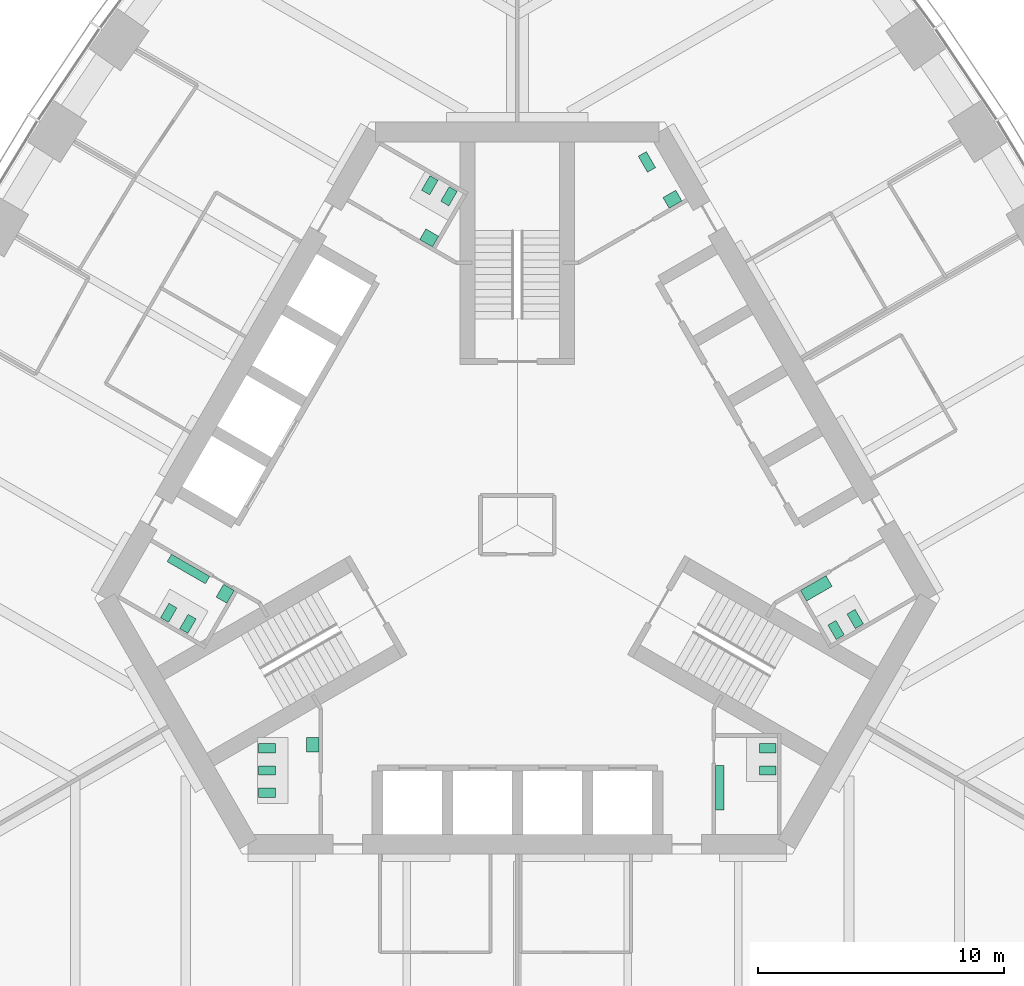
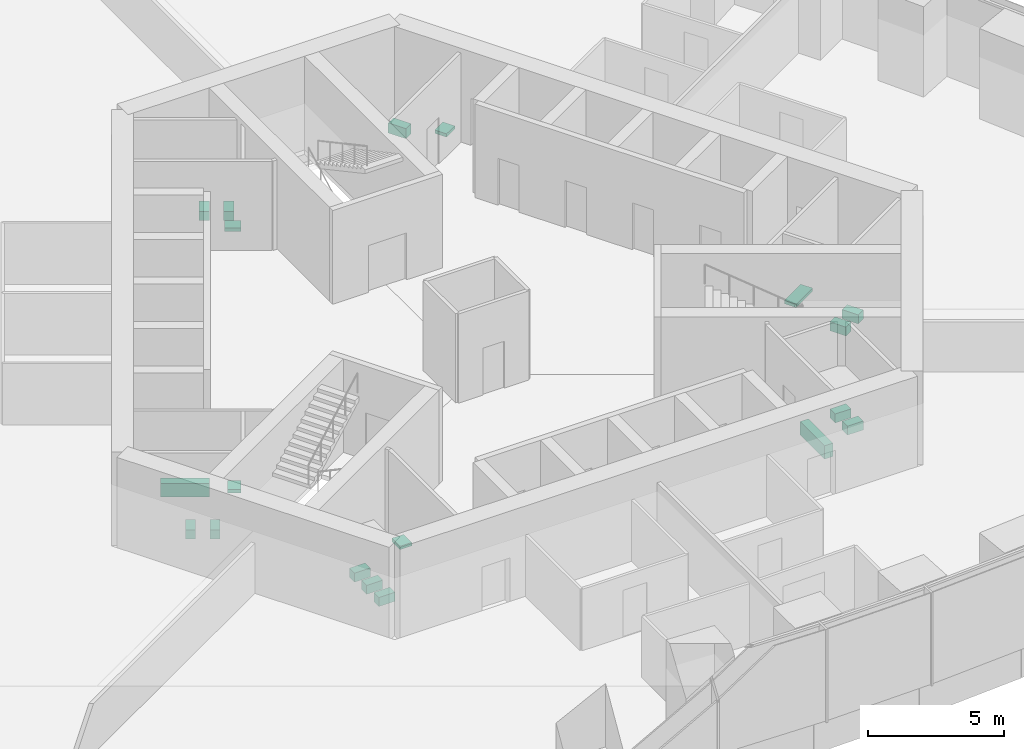
# One storey, part 17 of 18: 19 sanitary terminals.
"""IFC4 building model written with IfcOpenShell, lengths in metres."""

import ifcopenshell
import ifcopenshell.guid

model = None  # the IFC model being written
_history = None  # IfcOwnerHistory: only IFC2X3 demands one
_inside = {}  # id of a spatial element -> (the spatial element, [elements in it])
_under = {}  # id of a project, library or spatial element -> (it, [spatial elements below it])
_declared = {}  # id of a project -> (the project, [libraries it declares])
_typed = {}  # id of a type object -> (the type object, [elements of that type])
_made_of = {}  # id of a material, layer set ... -> (it, [elements and type objects made of it])


def new_model(schema):
    """Start an empty IFC model of exactly this schema.

    Asked for "IFC4X3", IfcOpenShell would pick the latest addendum, in which some entities
    have other attributes; the version numbers below select the first issue.
    IFC2X3 requires an IfcOwnerHistory on every rooted entity: one is made here for all.
    """
    global model, _history
    if schema == "IFC4X3":
        model = ifcopenshell.file(schema_version=(4, 3, 0, 0))
    else:
        model = ifcopenshell.file(schema=schema)
    _inside.clear()
    _under.clear()
    _declared.clear()
    _typed.clear()
    _made_of.clear()
    _history = None
    if model.schema == "IFC2X3":
        org = make("IfcOrganization", Name="unknown")
        user = make(
            "IfcPersonAndOrganization",
            ThePerson=make("IfcPerson", FamilyName="unknown"),
            TheOrganization=org,
        )
        app = make(
            "IfcApplication",
            ApplicationDeveloper=org,
            Version="unknown",
            ApplicationFullName="unknown",
            ApplicationIdentifier="unknown",
        )
        _history = make(
            "IfcOwnerHistory",
            OwningUser=user,
            OwningApplication=app,
            ChangeAction="ADDED",
            CreationDate=0,
        )
    return model


def make(cls, **values):
    """One entity of the class cls with the attributes given. An attribute that is None is left unset."""
    return model.create_entity(
        cls, **{name: value for name, value in values.items() if value is not None}
    )


def rooted(cls, **values):
    """An entity with a GlobalId (a new one), such as an element, a storey or a relation."""
    return make(cls, GlobalId=ifcopenshell.guid.new(), OwnerHistory=_history, **values)


def si_unit(unit_type, name, prefix=None):
    """IfcSIUnit, for example si_unit("LENGTHUNIT", "METRE", prefix="MILLI")."""
    return make("IfcSIUnit", UnitType=unit_type, Prefix=prefix, Name=name)


def assignment(units):
    """IfcUnitAssignment: the units of a project."""
    return None if units is None else make("IfcUnitAssignment", Units=units)


def point(xyz):
    """IfcCartesianPoint."""
    return None if xyz is None else make("IfcCartesianPoint", Coordinates=xyz)


def direction(xyz):
    """IfcDirection."""
    return None if xyz is None else make("IfcDirection", DirectionRatios=xyz)


def frame(location, z_axis=None, x_axis=None):
    """IfcAxis2Placement3D, a coordinate frame: its origin and axes. An axis left out is left unset."""
    return make(
        "IfcAxis2Placement3D",
        Location=point(location),
        Axis=direction(z_axis),
        RefDirection=direction(x_axis),
    )


def origin():
    """The frame at (0, 0, 0) with its axes left unset."""
    return frame((0.0, 0.0, 0.0))


def place(relative_to, where):
    """IfcLocalPlacement: puts the frame where relative to a parent placement (None: the world)."""
    return make(
        "IfcLocalPlacement", PlacementRelTo=relative_to, RelativePlacement=where
    )


def context(
    kind, dimensions, precision=None, world=None, true_north=None, identifier=None
):
    """IfcGeometricRepresentationContext, for example the 3D "Model" context."""
    return make(
        "IfcGeometricRepresentationContext",
        ContextIdentifier=identifier,
        ContextType=kind,
        CoordinateSpaceDimension=dimensions,
        Precision=precision,
        WorldCoordinateSystem=world,
        TrueNorth=true_north,
    )


def subcontext(parent, identifier, kind, view, scale=None):
    """IfcGeometricRepresentationSubContext, for example "Body" below "Model"."""
    return make(
        "IfcGeometricRepresentationSubContext",
        ContextIdentifier=identifier,
        ContextType=kind,
        ParentContext=parent,
        TargetScale=scale,
        TargetView=view,
    )


def project(units=None, contexts=None):
    """IfcProject with its units and contexts."""
    return rooted(
        "IfcProject",
        Name="project",
        RepresentationContexts=contexts,
        UnitsInContext=assignment(units),
    )


def spatial(cls, under=None, at=None, **own):
    """A site, building, storey or space (cls), placed at a placement, below another one or the project."""
    s = rooted(cls, ObjectPlacement=at, **own)
    if under is not None:
        _under.setdefault(under.id(), (under, []))[1].append(s)
    return s


def polyline(points):
    """IfcPolyline through the points."""
    return make("IfcPolyline", Points=[point(p) for p in points])


def outline(outer, holes=None, kind="AREA"):
    """IfcArbitraryClosedProfileDef: a profile drawn as a closed curve; with holes, ...WithVoids."""
    if holes is None:
        return make("IfcArbitraryClosedProfileDef", ProfileType=kind, OuterCurve=outer)
    return make(
        "IfcArbitraryProfileDefWithVoids",
        ProfileType=kind,
        OuterCurve=outer,
        InnerCurves=holes,
    )


def extrude(swept, where, along, depth):
    """IfcExtrudedAreaSolid: the profile swept, set in the frame where, extruded along a direction by depth."""
    return make(
        "IfcExtrudedAreaSolid",
        SweptArea=swept,
        Position=where,
        ExtrudedDirection=direction(along),
        Depth=depth,
    )


def shape(context_of_items, identifier, shape_type, items):
    """IfcShapeRepresentation: the items that make up one representation, for example the "Body"."""
    return make(
        "IfcShapeRepresentation",
        ContextOfItems=context_of_items,
        RepresentationIdentifier=identifier,
        RepresentationType=shape_type,
        Items=items,
    )


def material(Name=None, Category=None):
    """IfcMaterial."""
    return make("IfcMaterial", Name=Name, Category=Category)


def made_of(thing, what):
    """Note that an element or type object is made of a material, layer set ...; save() writes the relation."""
    if what is not None:
        _made_of.setdefault(what.id(), (what, []))[1].append(thing)
    return thing


def type_object(cls, material=None, **own):
    """A type object (cls), such as IfcWallType, which elements share."""
    return made_of(rooted(cls, **own), material)


def element(
    cls,
    number,
    at=None,
    inside=None,
    cuts=None,
    type_object=None,
    material=None,
    context=None,
    identifier="Body",
    shape_type=None,
    held_by="IfcProductDefinitionShape",
    body=None,
    shapes=None,
    **own,
):
    """One element of the class cls, such as IfcWall. Its Tag is "e" and its number.

    at: its placement. inside: the storey or other place that contains it. cuts: it is an
    opening in that element (IfcRelVoidsElement). A single representation is given by context,
    identifier, shape_type and body (its items); several are given by shapes. held_by: the class
    of the entity that holds the representations. save() writes the other relations.
    """
    e = rooted(cls, Tag="e%d" % number, ObjectPlacement=at, **own)
    if body is not None:
        shapes = [shape(context, identifier, shape_type, body)]
    if shapes is not None:
        e.Representation = make(held_by, Representations=shapes)
    if inside is not None:
        _inside.setdefault(inside.id(), (inside, []))[1].append(e)
    if cuts is not None:
        rooted(
            "IfcRelVoidsElement", RelatingBuildingElement=cuts, RelatedOpeningElement=e
        )
    if type_object is not None:
        _typed.setdefault(type_object.id(), (type_object, []))[1].append(e)
    return made_of(e, material)


def aggregate(whole, parts):
    """IfcRelAggregates: a whole, such as a stair, and the parts it consists of."""
    return rooted("IfcRelAggregates", RelatingObject=whole, RelatedObjects=parts)


def save(model, path):
    """Write the relations noted so far, then the file.

    IfcRelAggregates (storeys below a building ...), IfcRelContainedInSpatialStructure (elements
    in a storey), IfcRelDefinesByType, IfcRelAssociatesMaterial and IfcRelDeclares: one each for
    every whole, place, type object, material and project.
    """
    for whole, parts in _under.values():
        aggregate(whole, parts)
    for where, things in _inside.values():
        rooted(
            "IfcRelContainedInSpatialStructure",
            RelatedElements=things,
            RelatingStructure=where,
        )
    for kind, things in _typed.values():
        rooted("IfcRelDefinesByType", RelatedObjects=things, RelatingType=kind)
    for what, things in _made_of.values():
        rooted("IfcRelAssociatesMaterial", RelatedObjects=things, RelatingMaterial=what)
    for by, libraries in _declared.values():
        rooted("IfcRelDeclares", RelatingContext=by, RelatedDefinitions=libraries)
    model.write(path)


model = new_model("IFC4")

# Units and contexts
model_context = context("Model", 3, precision=1e-05, world=origin(), true_north=direction((0.0, 1.0)))
body_context = subcontext(model_context, "Body", "Model", "MODEL_VIEW")
ifc_project = project(units=[si_unit("LENGTHUNIT", "METRE"), si_unit("AREAUNIT", "SQUARE_METRE"), si_unit("VOLUMEUNIT", "CUBIC_METRE"), si_unit("PLANEANGLEUNIT", "RADIAN"), si_unit("MASSUNIT", "GRAM", prefix="KILO")], contexts=[model_context])

# Site, building, storey
site_placement = place(None, origin())
site = spatial("IfcSite", under=ifc_project, at=site_placement, CompositionType="ELEMENT")
building_placement = place(site_placement, origin())
building = spatial("IfcBuilding", under=site, at=building_placement, Name="Trefoil Bronze Tower", CompositionType="ELEMENT")
storey_placement = place(building_placement, frame((0.0, 0.0, 202.300048828125)))
storey = spatial("IfcBuildingStorey", under=building, at=storey_placement, Name="L46", CompositionType="ELEMENT", Elevation=202.300048828125)

# Sanitary terminals
ifc_material_1 = material(Name="Vitreous china", Category="ceramic")
sanitary_terminal_type_1 = type_object("IfcSanitaryTerminalType", Name="Accessible WC pan", PredefinedType="TOILETPAN", material=ifc_material_1)
sanitary_terminal_1_placement = place(storey_placement, origin())
element("IfcSanitaryTerminal", 1, at=sanitary_terminal_1_placement, inside=storey, type_object=sanitary_terminal_type_1, Name="WC pan 1 Accessible WC L46", PredefinedType="TOILETPAN", context=body_context, shape_type="SweptSolid", body=[
    extrude(outline(polyline([(5.300537109375, 14.359130859375), (4.925537109375, 15.008544921875), (5.254638671875, 15.198486328125), (5.629638671875, 14.549072265625), (5.300537109375, 14.359130859375)])), origin(), (0.0, 0.0, 1.0), 0.449951171875),
])
ifc_material_2 = material(Name="Vitreous china", Category="ceramic")
sanitary_terminal_type_2 = type_object("IfcSanitaryTerminalType", Name="Accessible basin", PredefinedType="WASHHANDBASIN", material=ifc_material_2)
sanitary_terminal_2_placement = place(storey_placement, frame((0.0, 0.0, 0.64990234375)))
element("IfcSanitaryTerminal", 2, at=sanitary_terminal_2_placement, inside=storey, type_object=sanitary_terminal_type_2, Name="Wash basin Accessible WC L46", PredefinedType="WASHHANDBASIN", context=body_context, shape_type="SweptSolid", body=[
    extrude(outline(polyline([(6.181640625, 12.89306640625), (5.931640625, 13.326171875), (6.451171875, 13.626220703125), (6.701171875, 13.193115234375), (6.181640625, 12.89306640625)])), origin(), (0.0, 0.0, 1.0), 0.150146484375),
])
ifc_material_3 = material(Name="Vitreous china", Category="ceramic")
sanitary_terminal_type_3 = type_object("IfcSanitaryTerminalType", Name="Urinal range 3 urinals", PredefinedType="URINAL", material=ifc_material_3)
sanitary_terminal_3_placement = place(storey_placement, frame((0.0, 0.0, 0.39990234375)))
element("IfcSanitaryTerminal", 3, at=sanitary_terminal_3_placement, inside=storey, type_object=sanitary_terminal_type_3, Name="Urinal range WC (men) L46", PredefinedType="URINAL", context=body_context, shape_type="SweptSolid", body=[
    extrude(outline(polyline([(8.074951171875, -9.800048828125), (8.425048828125, -9.800048828125), (8.425048828125, -11.60009765625), (8.074951171875, -11.60009765625), (8.074951171875, -9.800048828125)])), origin(), (0.0, 0.0, 1.0), 0.60009765625),
])
sanitary_terminal_4_placement = place(storey_placement, frame((0.0, 0.0, 0.39990234375)))
element("IfcSanitaryTerminal", 4, at=sanitary_terminal_4_placement, inside=storey, type_object=sanitary_terminal_type_3, Name="Urinal range WC (men) L46", PredefinedType="URINAL", context=body_context, shape_type="SweptSolid", body=[
    extrude(outline(polyline([(-12.524658203125, -2.09326171875), (-12.699462890625, -2.396240234375), (-14.25830078125, -1.496337890625), (-14.08349609375, -1.193115234375), (-12.524658203125, -2.09326171875)])), origin(), (0.0, 0.0, 1.0), 0.60009765625),
])
ifc_material_4 = material(Name="Solid surface vanity", Category="plastic")
sanitary_terminal_type_4 = type_object("IfcSanitaryTerminalType", Name="Vanity unit 1 basins", PredefinedType="WASHHANDBASIN", material=ifc_material_4)
sanitary_terminal_5_placement = place(storey_placement, frame((0.0, 0.0, 0.75)))
element("IfcSanitaryTerminal", 5, at=sanitary_terminal_5_placement, inside=storey, type_object=sanitary_terminal_type_4, Name="Vanity unit WC (women) L46", PredefinedType="WASHHANDBASIN", context=body_context, shape_type="SweptSolid", body=[
    extrude(outline(polyline([(-3.45361328125, 11.318115234375), (-3.20361328125, 11.751220703125), (-3.72314453125, 12.05126953125), (-3.97314453125, 11.6181640625), (-3.45361328125, 11.318115234375)])), origin(), (0.0, 0.0, 1.0), 0.14990234375),
])
sanitary_terminal_6_placement = place(storey_placement, frame((0.0, 0.0, 0.75)))
element("IfcSanitaryTerminal", 6, at=sanitary_terminal_6_placement, inside=storey, type_object=sanitary_terminal_type_4, Name="Vanity unit WC (men) L46", PredefinedType="WASHHANDBASIN", context=body_context, shape_type="SweptSolid", body=[
    extrude(outline(polyline([(-11.528564453125, -2.668212890625), (-11.82861328125, -3.187744140625), (-12.26171875, -2.937744140625), (-11.961669921875, -2.418212890625), (-11.528564453125, -2.668212890625)])), origin(), (0.0, 0.0, 1.0), 0.14990234375),
])
sanitary_terminal_7_placement = place(storey_placement, frame((0.0, 0.0, 0.75)))
element("IfcSanitaryTerminal", 7, at=sanitary_terminal_7_placement, inside=storey, type_object=sanitary_terminal_type_4, Name="Vanity unit WC (women) L46", PredefinedType="WASHHANDBASIN", context=body_context, shape_type="SweptSolid", body=[
    extrude(outline(polyline([(-8.074951171875, -8.64990234375), (-8.574951171875, -8.64990234375), (-8.574951171875, -9.25), (-8.074951171875, -9.25), (-8.074951171875, -8.64990234375)])), origin(), (0.0, 0.0, 1.0), 0.14990234375),
])
ifc_material_5 = material(Name="Solid surface vanity", Category="plastic")
sanitary_terminal_type_5 = type_object("IfcSanitaryTerminalType", Name="Vanity unit 2 basins", PredefinedType="WASHHANDBASIN", material=ifc_material_5)
sanitary_terminal_8_placement = place(storey_placement, frame((0.0, 0.0, 0.75)))
element("IfcSanitaryTerminal", 8, at=sanitary_terminal_8_placement, inside=storey, type_object=sanitary_terminal_type_5, Name="Vanity unit WC (women) L46", PredefinedType="WASHHANDBASIN", context=body_context, shape_type="SweptSolid", body=[
    extrude(outline(polyline([(11.528564453125, -2.668212890625), (11.778564453125, -3.10107421875), (12.81787109375, -2.501220703125), (12.56787109375, -2.068115234375), (11.528564453125, -2.668212890625)])), origin(), (0.0, 0.0, 1.0), 0.14990234375),
])
ifc_material_6 = material(Name="Vitreous china", Category="ceramic")
sanitary_terminal_type_6 = type_object("IfcSanitaryTerminalType", Name="WC pan", PredefinedType="TOILETPAN", material=ifc_material_6)
sanitary_terminal_9_placement = place(storey_placement, origin())
element("IfcSanitaryTerminal", 9, at=sanitary_terminal_9_placement, inside=storey, type_object=sanitary_terminal_type_6, Name="WC pan 1 WC (men) L46", PredefinedType="TOILETPAN", context=body_context, shape_type="SweptSolid", body=[
    extrude(outline(polyline([(9.85498046875, -8.909912109375), (10.534912109375, -8.909912109375), (10.534912109375, -9.2900390625), (9.85498046875, -9.2900390625), (9.85498046875, -8.909912109375)])), origin(), (0.0, 0.0, 1.0), 0.39990234375),
])
sanitary_terminal_10_placement = place(storey_placement, origin())
element("IfcSanitaryTerminal", 10, at=sanitary_terminal_10_placement, inside=storey, type_object=sanitary_terminal_type_6, Name="WC pan 2 WC (men) L46", PredefinedType="TOILETPAN", context=body_context, shape_type="SweptSolid", body=[
    extrude(outline(polyline([(9.85498046875, -9.81005859375), (10.534912109375, -9.81005859375), (10.534912109375, -10.18994140625), (9.85498046875, -10.18994140625), (9.85498046875, -9.81005859375)])), origin(), (0.0, 0.0, 1.0), 0.39990234375),
])
sanitary_terminal_11_placement = place(storey_placement, origin())
element("IfcSanitaryTerminal", 11, at=sanitary_terminal_11_placement, inside=storey, type_object=sanitary_terminal_type_6, Name="WC pan 1 WC (women) L46", PredefinedType="TOILETPAN", context=body_context, shape_type="SweptSolid", body=[
    extrude(outline(polyline([(12.643798828125, -4.07958984375), (12.98388671875, -4.66845703125), (13.31298828125, -4.478515625), (12.972900390625, -3.8896484375), (12.643798828125, -4.07958984375)])), origin(), (0.0, 0.0, 1.0), 0.39990234375),
])
sanitary_terminal_12_placement = place(storey_placement, origin())
element("IfcSanitaryTerminal", 12, at=sanitary_terminal_12_placement, inside=storey, type_object=sanitary_terminal_type_6, Name="WC pan 2 WC (women) L46", PredefinedType="TOILETPAN", context=body_context, shape_type="SweptSolid", body=[
    extrude(outline(polyline([(13.423095703125, -3.629638671875), (13.76318359375, -4.218505859375), (14.09228515625, -4.028564453125), (13.752197265625, -3.439697265625), (13.423095703125, -3.629638671875)])), origin(), (0.0, 0.0, 1.0), 0.39990234375),
])
sanitary_terminal_13_placement = place(storey_placement, origin())
element("IfcSanitaryTerminal", 13, at=sanitary_terminal_13_placement, inside=storey, type_object=sanitary_terminal_type_6, Name="WC pan 1 WC (women) L46", PredefinedType="TOILETPAN", context=body_context, shape_type="SweptSolid", body=[
    extrude(outline(polyline([(-2.788818359375, 12.98974609375), (-2.44873046875, 13.57861328125), (-2.77783203125, 13.7685546875), (-3.117919921875, 13.1796875), (-2.788818359375, 12.98974609375)])), origin(), (0.0, 0.0, 1.0), 0.39990234375),
])
sanitary_terminal_14_placement = place(storey_placement, origin())
element("IfcSanitaryTerminal", 14, at=sanitary_terminal_14_placement, inside=storey, type_object=sanitary_terminal_type_6, Name="WC pan 2 WC (women) L46", PredefinedType="TOILETPAN", context=body_context, shape_type="SweptSolid", body=[
    extrude(outline(polyline([(-3.568115234375, 13.439697265625), (-3.228271484375, 14.028564453125), (-3.557373046875, 14.218505859375), (-3.897216796875, 13.629638671875), (-3.568115234375, 13.439697265625)])), origin(), (0.0, 0.0, 1.0), 0.39990234375),
])
sanitary_terminal_15_placement = place(storey_placement, origin())
element("IfcSanitaryTerminal", 15, at=sanitary_terminal_15_placement, inside=storey, type_object=sanitary_terminal_type_6, Name="WC pan 1 WC (men) L46", PredefinedType="TOILETPAN", context=body_context, shape_type="SweptSolid", body=[
    extrude(outline(polyline([(-13.076904296875, -3.82958984375), (-13.416748046875, -4.41845703125), (-13.745849609375, -4.228515625), (-13.406005859375, -3.6396484375), (-13.076904296875, -3.82958984375)])), origin(), (0.0, 0.0, 1.0), 0.39990234375),
])
sanitary_terminal_16_placement = place(storey_placement, origin())
element("IfcSanitaryTerminal", 16, at=sanitary_terminal_16_placement, inside=storey, type_object=sanitary_terminal_type_6, Name="WC pan 2 WC (men) L46", PredefinedType="TOILETPAN", context=body_context, shape_type="SweptSolid", body=[
    extrude(outline(polyline([(-13.856201171875, -3.379638671875), (-14.1962890625, -3.968505859375), (-14.525390625, -3.778564453125), (-14.185302734375, -3.189697265625), (-13.856201171875, -3.379638671875)])), origin(), (0.0, 0.0, 1.0), 0.39990234375),
])
sanitary_terminal_17_placement = place(storey_placement, origin())
element("IfcSanitaryTerminal", 17, at=sanitary_terminal_17_placement, inside=storey, type_object=sanitary_terminal_type_6, Name="WC pan 1 WC (women) L46", PredefinedType="TOILETPAN", context=body_context, shape_type="SweptSolid", body=[
    extrude(outline(polyline([(-9.85498046875, -8.909912109375), (-10.534912109375, -8.909912109375), (-10.534912109375, -9.2900390625), (-9.85498046875, -9.2900390625), (-9.85498046875, -8.909912109375)])), origin(), (0.0, 0.0, 1.0), 0.39990234375),
])
sanitary_terminal_18_placement = place(storey_placement, origin())
element("IfcSanitaryTerminal", 18, at=sanitary_terminal_18_placement, inside=storey, type_object=sanitary_terminal_type_6, Name="WC pan 2 WC (women) L46", PredefinedType="TOILETPAN", context=body_context, shape_type="SweptSolid", body=[
    extrude(outline(polyline([(-9.85498046875, -9.81005859375), (-10.534912109375, -9.81005859375), (-10.534912109375, -10.18994140625), (-9.85498046875, -10.18994140625), (-9.85498046875, -9.81005859375)])), origin(), (0.0, 0.0, 1.0), 0.39990234375),
])
sanitary_terminal_19_placement = place(storey_placement, origin())
element("IfcSanitaryTerminal", 19, at=sanitary_terminal_19_placement, inside=storey, type_object=sanitary_terminal_type_6, Name="WC pan 3 WC (women) L46", PredefinedType="TOILETPAN", context=body_context, shape_type="SweptSolid", body=[
    extrude(outline(polyline([(-9.85498046875, -10.7099609375), (-10.534912109375, -10.7099609375), (-10.534912109375, -11.090087890625), (-9.85498046875, -11.090087890625), (-9.85498046875, -10.7099609375)])), origin(), (0.0, 0.0, 1.0), 0.39990234375),
])

save(model, "model.ifc")
